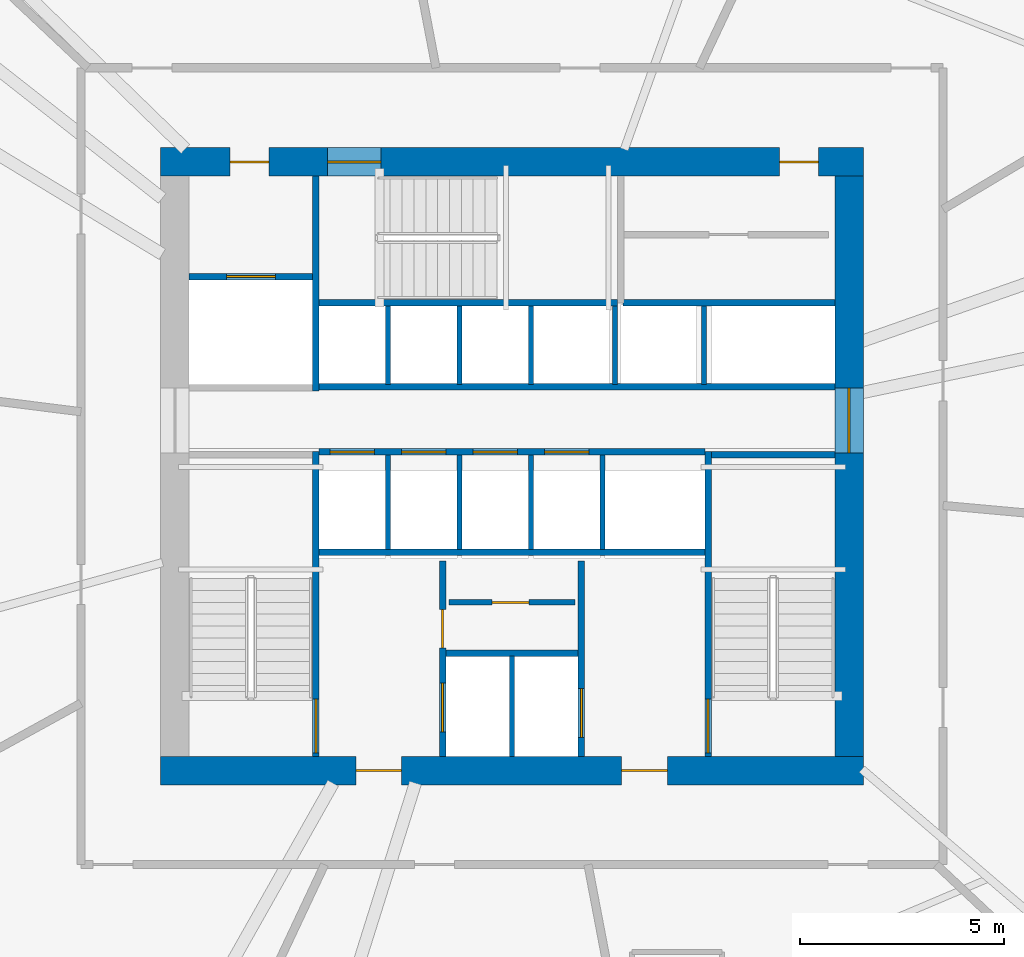
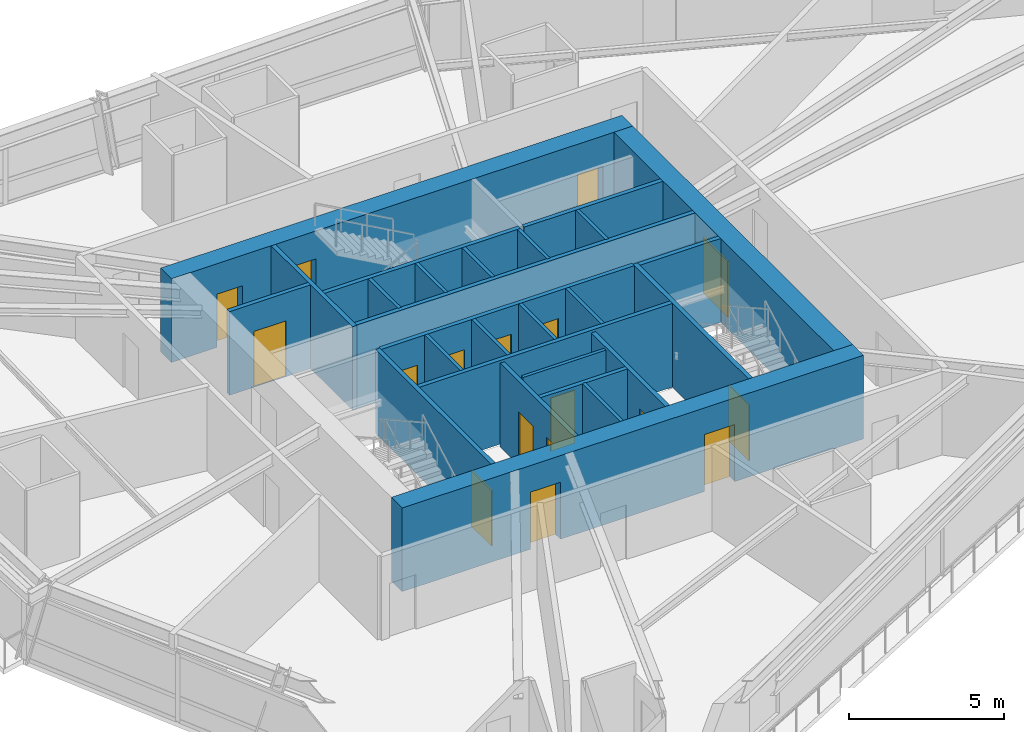
# One storey, part 16 of 22: 27 walls, 17 doors, 17 openings.
"""IFC4 building model written with IfcOpenShell, lengths in metres."""

from ifc_helpers import new_model, si_unit, direction, frame, frame_2d, origin, place, context, subcontext, project, spatial, rectangle, extrude, source, transform, mapped, material, layer, layer_set, type_object, type_shapes, element, fill, save


model = new_model("IFC4")

# Units and contexts
model_context = context("Model", 3, precision=1e-05, world=origin(), true_north=direction((0.0, 1.0)))
body_context = subcontext(model_context, "Body", "Model", "MODEL_VIEW")
ifc_project = project(units=[si_unit("LENGTHUNIT", "METRE"), si_unit("AREAUNIT", "SQUARE_METRE"), si_unit("VOLUMEUNIT", "CUBIC_METRE"), si_unit("PLANEANGLEUNIT", "RADIAN"), si_unit("MASSUNIT", "GRAM", prefix="KILO")], contexts=[model_context])

# Site, building, storey
site_placement = place(None, origin())
site = spatial("IfcSite", under=ifc_project, at=site_placement, CompositionType="ELEMENT")
building_placement = place(site_placement, origin())
building = spatial("IfcBuilding", under=site, at=building_placement, Name="Olszyna Solenne Hotel", CompositionType="ELEMENT")
storey_placement = place(building_placement, frame((0.0, 0.0, 95.050048828125)))
storey = spatial("IfcBuildingStorey", under=building, at=storey_placement, Name="L24", CompositionType="ELEMENT", Elevation=95.050048828125)

# Wall, openings, doors
ifc_material_1 = material(Name="Concrete C60/75", Category="concrete")
ifc_layer_1 = layer(ifc_material_1, 0.699951171875, Name="Concrete C60/75")
ifc_layer_set_1 = layer_set([ifc_layer_1], Name="Concrete C60/75")
wall_type_1 = type_object("IfcWallType", Name="WL-CR700", PredefinedType="SHEAR", material=ifc_layer_set_1)
wall_1_placement = place(storey_placement, frame((46.60009765625, 19.14990234375, 0.0), z_axis=(0.0, 0.0, 1.0), x_axis=(-1.0, 0.0, 0.0)))
wall_1 = element("IfcWall", 1, at=wall_1_placement, inside=storey, type_object=wall_type_1, Name="Core shear wall WL-CR700 CRW-L24-S", PredefinedType="SHEAR", context=body_context, shape_type="SweptSolid", body=[
    extrude(rectangle(XDim=17.2001953125, YDim=0.699951171875, at=frame_2d((8.60009765625, 0.0))), origin(), (0.0, 0.0, 1.0), 3.300048828125),
])
opening_1_placement = place(wall_1_placement, frame((4.800048828125, 0.0, 0.0)))
opening_1 = element("IfcOpeningElement", 2, at=opening_1_placement, cuts=wall_1, Name="Opening FL-L24-1", PredefinedType="OPENING", context=body_context, shape_type="SweptSolid", body=[
    extrude(rectangle(XDim=1.1201171875, YDim=2.25, at=frame_2d((0.56005859375, 1.125))), frame((0.0, 0.35986328125, 0.0), z_axis=(0.0, -1.0, 0.0), x_axis=(1.0, 0.0, 0.0)), (0.0, 0.0, 1.0), 0.719970703125),
])
opening_2_placement = place(wall_1_placement, frame((11.300048828125, 0.0, 0.0)))
opening_2 = element("IfcOpeningElement", 3, at=opening_2_placement, cuts=wall_1, Name="Opening FL-L24-2", PredefinedType="OPENING", context=body_context, shape_type="SweptSolid", body=[
    extrude(rectangle(XDim=1.1201171875, YDim=2.25, at=frame_2d((0.56005859375, 1.125))), frame((0.0, 0.35986328125, 0.0), z_axis=(0.0, -1.0, 0.0), x_axis=(1.0, 0.0, 0.0)), (0.0, 0.0, 1.0), 0.719970703125),
])
ifc_material_2 = material(Name="Steel S355J2", Category="steel")
door_type_1 = type_object("IfcDoorType", Name="DR-FL1", OperationType="NOTDEFINED", PredefinedType="DOOR", material=ifc_material_2)
shared_shape_1 = source(origin(), body_context, "Body", "SweptSolid", [
    extrude(rectangle(XDim=1.1201171875, YDim=2.25, at=frame_2d((0.56005859375, 1.125))), frame((0.0, 0.02490234375, 0.0), z_axis=(0.0, -1.0, 0.0), x_axis=(1.0, 0.0, 0.0)), (0.0, 0.0, 1.0), 0.050048828125),
])
type_shapes(door_type_1, [shared_shape_1])
door_1_placement = place(opening_1_placement, origin())
door_1 = element("IfcDoor", 4, at=door_1_placement, inside=storey, type_object=door_type_1, Name="Firefighting lift lobby smoke door FL-L24-1", OperationType="SINGLE_SWING_LEFT", OverallHeight=2.25, OverallWidth=1.1201171875, PredefinedType="DOOR", context=body_context, shape_type="MappedRepresentation", body=[
    mapped(shared_shape_1, transform((0.0, 0.0, 0.0), x_axis=(1.0, 0.0, 0.0), y_axis=(0.0, 1.0, 0.0), z_axis=(0.0, 0.0, 1.0), scale=1.0)),
])
fill(opening_1, door_1)
door_2_placement = place(opening_2_placement, origin())
door_2 = element("IfcDoor", 5, at=door_2_placement, inside=storey, type_object=door_type_1, Name="Firefighting lift lobby smoke door FL-L24-2", OperationType="SINGLE_SWING_RIGHT", OverallHeight=2.25, OverallWidth=1.1201171875, PredefinedType="DOOR", context=body_context, shape_type="MappedRepresentation", body=[
    mapped(shared_shape_1, transform((0.0, 0.0, 0.0), x_axis=(1.0, 0.0, 0.0), y_axis=(0.0, 1.0, 0.0), z_axis=(0.0, 0.0, 1.0), scale=1.0)),
])
fill(opening_2, door_2)

wall_2_placement = place(storey_placement, frame((29.39990234375, 34.050048828125, 0.0), z_axis=(0.0, 0.0, 1.0), x_axis=(1.0, 0.0, 0.0)))
wall_2 = element("IfcWall", 6, at=wall_2_placement, inside=storey, type_object=wall_type_1, Name="Core shear wall WL-CR700 CRW-L24-N", PredefinedType="SHEAR", context=body_context, shape_type="SweptSolid", body=[
    extrude(rectangle(XDim=17.2001953125, YDim=0.699951171875, at=frame_2d((8.60009765625, 0.0))), origin(), (0.0, 0.0, 1.0), 3.300048828125),
])
opening_3_placement = place(wall_2_placement, frame((1.699951171875, 0.0, 0.0)))
opening_3 = element("IfcOpeningElement", 7, at=opening_3_placement, cuts=wall_2, Name="Opening SVD-L24-01", PredefinedType="OPENING", context=body_context, shape_type="SweptSolid", body=[
    extrude(rectangle(XDim=0.949951171875, YDim=2.10009765625, at=frame_2d((0.47509765625, 1.050048828125))), frame((0.0, 0.35986328125, 0.0), z_axis=(0.0, -1.0, 0.0), x_axis=(1.0, 0.0, 0.0)), (0.0, 0.0, 1.0), 0.719970703125),
])
opening_4_placement = place(wall_2_placement, frame((4.080078125, 0.0, 0.0)))
opening_4 = element("IfcOpeningElement", 8, at=opening_4_placement, cuts=wall_2, Name="Opening STD-L24-03", PredefinedType="OPENING", context=body_context, shape_type="SweptSolid", body=[
    extrude(rectangle(XDim=1.320068359375, YDim=2.199951171875, at=frame_2d((0.66015625, 1.10009765625))), frame((0.0, 0.35986328125, 0.0), z_axis=(0.0, -1.0, 0.0), x_axis=(1.0, 0.0, 0.0)), (0.0, 0.0, 1.0), 0.719970703125),
])
opening_5_placement = place(wall_2_placement, frame((15.14990234375, 0.0, 0.0)))
opening_5 = element("IfcOpeningElement", 9, at=opening_5_placement, cuts=wall_2, Name="Opening SVD-L24-BN", PredefinedType="OPENING", context=body_context, shape_type="SweptSolid", body=[
    extrude(rectangle(XDim=0.949951171875, YDim=2.10009765625, at=frame_2d((0.47509765625, 1.050048828125))), frame((0.0, 0.35986328125, 0.0), z_axis=(0.0, -1.0, 0.0), x_axis=(1.0, 0.0, 0.0)), (0.0, 0.0, 1.0), 0.719970703125),
])
door_type_2 = type_object("IfcDoorType", Name="DR-ST1", OperationType="NOTDEFINED", PredefinedType="DOOR", material=ifc_material_2)
shared_shape_2 = source(origin(), body_context, "Body", "SweptSolid", [
    extrude(rectangle(XDim=1.320068359375, YDim=2.199951171875, at=frame_2d((0.66015625, 1.10009765625))), frame((0.0, 0.02490234375, 0.0), z_axis=(0.0, -1.0, 0.0), x_axis=(1.0, 0.0, 0.0)), (0.0, 0.0, 1.0), 0.050048828125),
])
type_shapes(door_type_2, [shared_shape_2])
door_3_placement = place(opening_4_placement, origin())
door_3 = element("IfcDoor", 10, at=door_3_placement, inside=storey, type_object=door_type_2, Name="Pressurised exit stair ST3 fire door STD-L24-03", OperationType="SINGLE_SWING_RIGHT", OverallHeight=2.199951171875, OverallWidth=1.320068359375, PredefinedType="DOOR", context=body_context, shape_type="MappedRepresentation", body=[
    mapped(shared_shape_2, transform((0.0, 0.0, 0.0), x_axis=(1.0, 0.0, 0.0), y_axis=(0.0, 1.0, 0.0), z_axis=(0.0, 0.0, 1.0), scale=1.0)),
])
fill(opening_4, door_3)
door_type_3 = type_object("IfcDoorType", Name="DR-SV1", OperationType="NOTDEFINED", PredefinedType="DOOR", material=ifc_material_2)
shared_shape_3 = source(origin(), body_context, "Body", "SweptSolid", [
    extrude(rectangle(XDim=0.949951171875, YDim=2.10009765625, at=frame_2d((0.47509765625, 1.050048828125))), frame((0.0, 0.02490234375, 0.0), z_axis=(0.0, -1.0, 0.0), x_axis=(1.0, 0.0, 0.0)), (0.0, 0.0, 1.0), 0.050048828125),
])
type_shapes(door_type_3, [shared_shape_3])
door_4_placement = place(opening_3_placement, origin())
door_4 = element("IfcDoor", 11, at=door_4_placement, inside=storey, type_object=door_type_3, Name="Service lift lobby fire door SVD-L24-01", OperationType="SINGLE_SWING_LEFT", OverallHeight=2.10009765625, OverallWidth=0.949951171875, PredefinedType="DOOR", context=body_context, shape_type="MappedRepresentation", body=[
    mapped(shared_shape_3, transform((0.0, 0.0, 0.0), x_axis=(1.0, 0.0, 0.0), y_axis=(0.0, 1.0, 0.0), z_axis=(0.0, 0.0, 1.0), scale=1.0)),
])
fill(opening_3, door_4)
door_5_placement = place(opening_5_placement, origin())
door_5 = element("IfcDoor", 12, at=door_5_placement, inside=storey, type_object=door_type_3, Name="Housekeeping core fire door SVD-L24-BN", OperationType="SINGLE_SWING_LEFT", OverallHeight=2.10009765625, OverallWidth=0.949951171875, PredefinedType="DOOR", context=body_context, shape_type="MappedRepresentation", body=[
    mapped(shared_shape_3, transform((0.0, 0.0, 0.0), x_axis=(1.0, 0.0, 0.0), y_axis=(0.0, 1.0, 0.0), z_axis=(0.0, 0.0, 1.0), scale=1.0)),
])
fill(opening_5, door_5)

# Wall, opening, door
wall_3_placement = place(storey_placement, frame((46.25, 33.699951171875, 0.0), z_axis=(0.0, 0.0, 1.0), x_axis=(0.0, -1.0, 0.0)))
wall_3 = element("IfcWall", 13, at=wall_3_placement, inside=storey, type_object=wall_type_1, Name="Core shear wall WL-CR700 CRW-L24-E", PredefinedType="SHEAR", context=body_context, shape_type="SweptSolid", body=[
    extrude(rectangle(XDim=14.199951171875, YDim=0.699951171875, at=frame_2d((7.10009765625, 0.0))), origin(), (0.0, 0.0, 1.0), 3.300048828125),
])
opening_6_placement = place(wall_3_placement, frame((5.179931640625, 0.0, 0.0)))
opening_6 = element("IfcOpeningElement", 14, at=opening_6_placement, cuts=wall_3, Name="Opening LHD-L24-E", PredefinedType="OPENING", context=body_context, shape_type="SweptSolid", body=[
    extrude(rectangle(XDim=1.60009765625, YDim=2.199951171875, at=frame_2d((0.800048828125, 1.10009765625))), frame((0.0, 0.35986328125, 0.0), z_axis=(0.0, -1.0, 0.0), x_axis=(1.0, 0.0, 0.0)), (0.0, 0.0, 1.0), 0.719970703125),
])
ifc_material_3 = material(Name="Timber hardwood", Category="wood")
door_type_4 = type_object("IfcDoorType", Name="DR-CR1", OperationType="DOUBLE_DOOR_SINGLE_SWING", PredefinedType="DOOR", material=ifc_material_3)
shared_shape_4 = source(origin(), body_context, "Body", "SweptSolid", [
    extrude(rectangle(XDim=1.60009765625, YDim=2.199951171875, at=frame_2d((0.800048828125, 1.10009765625))), frame((0.0, 0.02490234375, 0.0), z_axis=(0.0, -1.0, 0.0), x_axis=(1.0, 0.0, 0.0)), (0.0, 0.0, 1.0), 0.050048828125),
])
type_shapes(door_type_4, [shared_shape_4])
door_6_placement = place(opening_6_placement, origin())
door_6 = element("IfcDoor", 15, at=door_6_placement, inside=storey, type_object=door_type_4, Name="Passenger lift lobby East fire door LHD-L24-E", OperationType="DOUBLE_DOOR_SINGLE_SWING", OverallHeight=2.199951171875, OverallWidth=1.60009765625, PredefinedType="DOOR", context=body_context, shape_type="MappedRepresentation", body=[
    mapped(shared_shape_4, transform((0.0, 0.0, 0.0), x_axis=(1.0, 0.0, 0.0), y_axis=(0.0, 1.0, 0.0), z_axis=(0.0, 0.0, 1.0), scale=1.0)),
])
fill(opening_6, door_6)

# Wall
ifc_material_4 = material(Name="Acoustic gypsum partition", Category="gypsum")
ifc_layer_2 = layer(ifc_material_4, 0.125, Name="Acoustic gypsum partition")
ifc_layer_set_2 = layer_set([ifc_layer_2], Name="Acoustic gypsum partition")
wall_type_2 = type_object("IfcWallType", Name="WL-PT125", PredefinedType="PARTITIONING", material=ifc_layer_set_2)
wall_4_placement = place(storey_placement, frame((38.0, 19.5, 0.0), z_axis=(0.0, 0.0, 1.0), x_axis=(0.0, 1.0, 0.0)))
element("IfcWall", 16, at=wall_4_placement, inside=storey, type_object=wall_type_2, Name="Core shaft compartment wall CW-L24-FFM", PredefinedType="PARTITIONING", context=body_context, shape_type="SweptSolid", body=[
    extrude(rectangle(XDim=2.4599609375, YDim=0.125, at=frame_2d((1.22998046875, 0.0))), origin(), (0.0, 0.0, 1.0), 3.300048828125),
])

# Wall, opening, door
wall_5_placement = place(storey_placement, frame((36.4599609375, 23.27001953125, 0.0), z_axis=(0.0, 0.0, 1.0), x_axis=(1.0, 0.0, 0.0)))
wall_5 = element("IfcWall", 17, at=wall_5_placement, inside=storey, type_object=wall_type_2, Name="Core shaft compartment wall CW-L24-SC2", PredefinedType="PARTITIONING", context=body_context, shape_type="SweptSolid", body=[
    extrude(rectangle(XDim=3.080078125, YDim=0.125, at=frame_2d((1.5400390625, 0.0))), origin(), (0.0, 0.0, 1.0), 3.300048828125),
])
opening_7_placement = place(wall_5_placement, frame((1.050048828125, 0.0, 0.0)))
opening_7 = element("IfcOpeningElement", 18, at=opening_7_placement, cuts=wall_5, Name="Opening SVD-L24-SC2", PredefinedType="OPENING", context=body_context, shape_type="SweptSolid", body=[
    extrude(rectangle(XDim=0.89990234375, YDim=2.10009765625, at=frame_2d((0.449951171875, 1.050048828125))), frame((0.0, 0.072509765625, 0.0), z_axis=(0.0, -1.0, 0.0), x_axis=(1.0, 0.0, 0.0)), (0.0, 0.0, 1.0), 0.14501953125),
])
door_type_5 = type_object("IfcDoorType", Name="DR-WC1", OperationType="NOTDEFINED", PredefinedType="DOOR", material=ifc_material_3)
shared_shape_5 = source(origin(), body_context, "Body", "SweptSolid", [
    extrude(rectangle(XDim=0.89990234375, YDim=2.10009765625, at=frame_2d((0.449951171875, 1.050048828125))), frame((0.0, 0.02490234375, 0.0), z_axis=(0.0, -1.0, 0.0), x_axis=(1.0, 0.0, 0.0)), (0.0, 0.0, 1.0), 0.050048828125),
])
type_shapes(door_type_5, [shared_shape_5])
door_7_placement = place(opening_7_placement, origin())
door_7 = element("IfcDoor", 19, at=door_7_placement, inside=storey, type_object=door_type_5, Name="Butler pantry door SVD-L24-SC2", OperationType="SINGLE_SWING_RIGHT", OverallHeight=2.10009765625, OverallWidth=0.89990234375, PredefinedType="DOOR", context=body_context, shape_type="MappedRepresentation", body=[
    mapped(shared_shape_5, transform((0.0, 0.0, 0.0), x_axis=(1.0, 0.0, 0.0), y_axis=(0.0, 1.0, 0.0), z_axis=(0.0, 0.0, 1.0), scale=1.0)),
])
fill(opening_7, door_7)

# Walls
for number, where, z_axis, x_axis, name in (
    (20, (34.965087890625, 24.56005859375, 0.0), (0.0, 0.0, 1.0), (0.0, 1.0, 0.0), "Core shaft compartment wall CW-L24-DIVS349"),
    (21, (36.715087890625, 24.56005859375, 0.0), (0.0, 0.0, 1.0), (0.0, 1.0, 0.0), "Core shaft compartment wall CW-L24-DIVS367"),
    (22, (38.465087890625, 24.56005859375, 0.0), (0.0, 0.0, 1.0), (0.0, 1.0, 0.0), "Core shaft compartment wall CW-L24-DIVS384"),
    (23, (40.215087890625, 24.56005859375, 0.0), (0.0, 0.0, 1.0), (0.0, 1.0, 0.0), "Core shaft compartment wall CW-L24-DIVS402"),
):
    element("IfcWall", number, at=place(storey_placement, frame(where, z_axis=z_axis, x_axis=x_axis)), inside=storey, type_object=wall_type_2, Name=name, PredefinedType="PARTITIONING", context=body_context, shape_type="SweptSolid", body=[
        extrude(rectangle(XDim=2.31005859375, YDim=0.125, at=frame_2d((1.155029296875, 0.0))), origin(), (0.0, 0.0, 1.0), 3.300048828125),
    ])
for number, where, z_axis, x_axis, name in (
    (24, (34.965087890625, 28.60009765625, 0.0), (0.0, 0.0, 1.0), (0.0, 1.0, 0.0), "Core shaft compartment wall CW-L24-DIVN349"),
    (25, (36.715087890625, 28.60009765625, 0.0), (0.0, 0.0, 1.0), (0.0, 1.0, 0.0), "Core shaft compartment wall CW-L24-DIVN367"),
    (26, (38.465087890625, 28.60009765625, 0.0), (0.0, 0.0, 1.0), (0.0, 1.0, 0.0), "Core shaft compartment wall CW-L24-DIVN384"),
    (27, (40.52490234375, 28.60009765625, 0.0), (0.0, 0.0, 1.0), (0.0, 1.0, 0.0), "Core shaft compartment wall CW-L24-DIVEX405"),
    (28, (42.699951171875, 28.60009765625, 0.0), (0.0, 0.0, 1.0), (0.0, 1.0, 0.0), "Core shaft compartment wall CW-L24-DIVEX427"),
):
    element("IfcWall", number, at=place(storey_placement, frame(where, z_axis=z_axis, x_axis=x_axis)), inside=storey, type_object=wall_type_2, Name=name, PredefinedType="PARTITIONING", context=body_context, shape_type="SweptSolid", body=[
        extrude(rectangle(XDim=1.919921875, YDim=0.125, at=frame_2d((0.9599609375, 0.0))), origin(), (0.0, 0.0, 1.0), 3.300048828125),
    ])

# Wall, opening, door
ifc_layer_3 = layer(ifc_material_4, 0.159912109375, Name="Acoustic gypsum partition")
ifc_layer_set_3 = layer_set([ifc_layer_3], Name="Acoustic gypsum partition")
wall_type_3 = type_object("IfcWallType", Name="WL-PT160", PredefinedType="PARTITIONING", material=ifc_layer_set_3)
wall_6_placement = place(storey_placement, frame((33.199951171875, 19.5, 0.0), z_axis=(0.0, 0.0, 1.0), x_axis=(0.0, 1.0, 0.0)))
wall_6 = element("IfcWall", 29, at=wall_6_placement, inside=storey, type_object=wall_type_3, Name="Core shaft compartment wall CW-L24-ST1E", PredefinedType="PARTITIONING", context=body_context, shape_type="SweptSolid", body=[
    extrude(rectangle(XDim=7.4599609375, YDim=0.159912109375, at=frame_2d((3.72998046875, 0.0))), origin(), (0.0, 0.0, 1.0), 3.300048828125),
])
opening_8_placement = place(wall_6_placement, frame((0.080078125, 0.0, 0.0)))
opening_8 = element("IfcOpeningElement", 30, at=opening_8_placement, cuts=wall_6, Name="Opening STD-L24-01", PredefinedType="OPENING", context=body_context, shape_type="SweptSolid", body=[
    extrude(rectangle(XDim=1.320068359375, YDim=2.199951171875, at=frame_2d((0.66015625, 1.10009765625))), frame((0.0, 0.08984375, 0.0), z_axis=(0.0, -1.0, 0.0), x_axis=(1.0, 0.0, 0.0)), (0.0, 0.0, 1.0), 0.179931640625),
])
door_8_placement = place(opening_8_placement, origin())
door_8 = element("IfcDoor", 31, at=door_8_placement, inside=storey, type_object=door_type_2, Name="Pressurised exit stair ST1 fire door STD-L24-01", OperationType="SINGLE_SWING_LEFT", OverallHeight=2.199951171875, OverallWidth=1.320068359375, PredefinedType="DOOR", context=body_context, shape_type="MappedRepresentation", body=[
    mapped(shared_shape_2, transform((0.0, 0.0, 0.0), x_axis=(1.0, 0.0, 0.0), y_axis=(0.0, 1.0, 0.0), z_axis=(0.0, 0.0, 1.0), scale=1.0)),
])
fill(opening_8, door_8)

wall_7_placement = place(storey_placement, frame((42.800048828125, 26.9599609375, 0.0), z_axis=(0.0, 0.0, 1.0), x_axis=(0.0, -1.0, 0.0)))
wall_7 = element("IfcWall", 32, at=wall_7_placement, inside=storey, type_object=wall_type_3, Name="Core shaft compartment wall CW-L24-ST2W", PredefinedType="PARTITIONING", context=body_context, shape_type="SweptSolid", body=[
    extrude(rectangle(XDim=7.4599609375, YDim=0.159912109375, at=frame_2d((3.72998046875, 0.0))), origin(), (0.0, 0.0, 1.0), 3.300048828125),
])
opening_9_placement = place(wall_7_placement, frame((6.06005859375, 0.0, 0.0)))
opening_9 = element("IfcOpeningElement", 33, at=opening_9_placement, cuts=wall_7, Name="Opening STD-L24-02", PredefinedType="OPENING", context=body_context, shape_type="SweptSolid", body=[
    extrude(rectangle(XDim=1.320068359375, YDim=2.199951171875, at=frame_2d((0.66015625, 1.10009765625))), frame((0.0, 0.08984375, 0.0), z_axis=(0.0, -1.0, 0.0), x_axis=(1.0, 0.0, 0.0)), (0.0, 0.0, 1.0), 0.179931640625),
])
door_9_placement = place(opening_9_placement, origin())
door_9 = element("IfcDoor", 34, at=door_9_placement, inside=storey, type_object=door_type_2, Name="Pressurised exit stair ST2 fire door STD-L24-02", OperationType="SINGLE_SWING_RIGHT", OverallHeight=2.199951171875, OverallWidth=1.320068359375, PredefinedType="DOOR", context=body_context, shape_type="MappedRepresentation", body=[
    mapped(shared_shape_2, transform((0.0, 0.0, 0.0), x_axis=(1.0, 0.0, 0.0), y_axis=(0.0, 1.0, 0.0), z_axis=(0.0, 0.0, 1.0), scale=1.0)),
])
fill(opening_9, door_9)

# Walls
wall_8_placement = place(storey_placement, frame((42.8798828125, 26.8798828125, 0.0), z_axis=(0.0, 0.0, 1.0), x_axis=(1.0, 0.0, 0.0)))
element("IfcWall", 35, at=wall_8_placement, inside=storey, type_object=wall_type_3, Name="Core shaft compartment wall CW-L24-ST2N", PredefinedType="PARTITIONING", context=body_context, shape_type="SweptSolid", body=[
    extrude(rectangle(XDim=3.02001953125, YDim=0.159912109375, at=frame_2d((1.510009765625, 0.0))), origin(), (0.0, 0.0, 1.0), 3.300048828125),
])
wall_9_placement = place(storey_placement, frame((33.280029296875, 30.60009765625, 0.0), z_axis=(0.0, 0.0, 1.0), x_axis=(1.0, 0.0, 0.0)))
element("IfcWall", 36, at=wall_9_placement, inside=storey, type_object=wall_type_3, Name="Core shaft compartment wall CW-L24-ST3S", PredefinedType="PARTITIONING", context=body_context, shape_type="SweptSolid", body=[
    extrude(rectangle(XDim=7.300048828125, YDim=0.159912109375, at=frame_2d((3.64990234375, 0.0))), origin(), (0.0, 0.0, 1.0), 3.300048828125),
])

# Wall, openings, doors
wall_10_placement = place(storey_placement, frame((36.300048828125, 19.5, 0.0), z_axis=(0.0, 0.0, 1.0), x_axis=(0.0, 1.0, 0.0)))
wall_10 = element("IfcWall", 37, at=wall_10_placement, inside=storey, type_object=wall_type_3, Name="Core shaft compartment wall CW-L24-FF1W", PredefinedType="PARTITIONING", context=body_context, shape_type="SweptSolid", body=[
    extrude(rectangle(XDim=4.780029296875, YDim=0.159912109375, at=frame_2d((2.39013671875, 0.0))), origin(), (0.0, 0.0, 1.0), 3.300048828125),
])
opening_10_placement = place(wall_10_placement, frame((0.60009765625, 0.0, 0.0)))
opening_10 = element("IfcOpeningElement", 38, at=opening_10_placement, cuts=wall_10, Name="Opening LD-L24-FF1", PredefinedType="OPENING", context=body_context, shape_type="SweptSolid", body=[
    extrude(rectangle(XDim=1.199951171875, YDim=2.199951171875, at=frame_2d((0.60009765625, 1.10009765625))), frame((0.0, 0.08984375, 0.0), z_axis=(0.0, -1.0, 0.0), x_axis=(1.0, 0.0, 0.0)), (0.0, 0.0, 1.0), 0.179931640625),
])
opening_11_placement = place(wall_10_placement, frame((2.64990234375, 0.0, 0.0)))
opening_11 = element("IfcOpeningElement", 39, at=opening_11_placement, cuts=wall_10, Name="Opening SVD-L24-SMK", PredefinedType="OPENING", context=body_context, shape_type="SweptSolid", body=[
    extrude(rectangle(XDim=0.949951171875, YDim=2.10009765625, at=frame_2d((0.47509765625, 1.050048828125))), frame((0.0, 0.08984375, 0.0), z_axis=(0.0, -1.0, 0.0), x_axis=(1.0, 0.0, 0.0)), (0.0, 0.0, 1.0), 0.179931640625),
])
door_10_placement = place(opening_11_placement, origin())
door_10 = element("IfcDoor", 40, at=door_10_placement, inside=storey, type_object=door_type_3, Name="Valet and core service room door SVD-L24-SMK", OperationType="SINGLE_SWING_LEFT", OverallHeight=2.10009765625, OverallWidth=0.949951171875, PredefinedType="DOOR", context=body_context, shape_type="MappedRepresentation", body=[
    mapped(shared_shape_3, transform((0.0, 0.0, 0.0), x_axis=(1.0, 0.0, 0.0), y_axis=(0.0, 1.0, 0.0), z_axis=(0.0, 0.0, 1.0), scale=1.0)),
])
fill(opening_11, door_10)
door_type_6 = type_object("IfcDoorType", Name="LD-FF1", OperationType="DOUBLE_DOOR_SLIDING", PredefinedType="DOOR", material=ifc_material_2)
shared_shape_6 = source(origin(), body_context, "Body", "SweptSolid", [
    extrude(rectangle(XDim=1.199951171875, YDim=2.199951171875, at=frame_2d((0.60009765625, 1.10009765625))), frame((0.0, 0.02490234375, 0.0), z_axis=(0.0, -1.0, 0.0), x_axis=(1.0, 0.0, 0.0)), (0.0, 0.0, 1.0), 0.050048828125),
])
type_shapes(door_type_6, [shared_shape_6])
door_11_placement = place(opening_10_placement, origin())
door_11 = element("IfcDoor", 41, at=door_11_placement, inside=storey, type_object=door_type_6, Name="Firefighters lift FF1 sliding landing door LD-L24-FF1", OperationType="DOUBLE_DOOR_SLIDING", OverallHeight=2.199951171875, OverallWidth=1.199951171875, PredefinedType="DOOR", context=body_context, shape_type="MappedRepresentation", body=[
    mapped(shared_shape_6, transform((0.0, 0.0, 0.0), x_axis=(1.0, 0.0, 0.0), y_axis=(0.0, 1.0, 0.0), z_axis=(0.0, 0.0, 1.0), scale=1.0)),
])
fill(opening_10, door_11)

# Wall, opening, door
wall_11_placement = place(storey_placement, frame((39.699951171875, 24.280029296875, 0.0), z_axis=(0.0, 0.0, 1.0), x_axis=(0.0, -1.0, 0.0)))
wall_11 = element("IfcWall", 42, at=wall_11_placement, inside=storey, type_object=wall_type_3, Name="Core shaft compartment wall CW-L24-FF2E", PredefinedType="PARTITIONING", context=body_context, shape_type="SweptSolid", body=[
    extrude(rectangle(XDim=4.780029296875, YDim=0.159912109375, at=frame_2d((2.39013671875, 0.0))), origin(), (0.0, 0.0, 1.0), 3.300048828125),
])
opening_12_placement = place(wall_11_placement, frame((3.1201171875, 0.0, 0.0)))
opening_12 = element("IfcOpeningElement", 43, at=opening_12_placement, cuts=wall_11, Name="Opening LD-L24-FF2", PredefinedType="OPENING", context=body_context, shape_type="SweptSolid", body=[
    extrude(rectangle(XDim=1.199951171875, YDim=2.199951171875, at=frame_2d((0.60009765625, 1.10009765625))), frame((0.0, 0.08984375, 0.0), z_axis=(0.0, -1.0, 0.0), x_axis=(1.0, 0.0, 0.0)), (0.0, 0.0, 1.0), 0.179931640625),
])
door_12_placement = place(opening_12_placement, origin())
door_12 = element("IfcDoor", 44, at=door_12_placement, inside=storey, type_object=door_type_6, Name="Firefighters lift FF2 sliding landing door LD-L24-FF2", OperationType="DOUBLE_DOOR_SLIDING", OverallHeight=2.199951171875, OverallWidth=1.199951171875, PredefinedType="DOOR", context=body_context, shape_type="MappedRepresentation", body=[
    mapped(shared_shape_6, transform((0.0, 0.0, 0.0), x_axis=(1.0, 0.0, 0.0), y_axis=(0.0, 1.0, 0.0), z_axis=(0.0, 0.0, 1.0), scale=1.0)),
])
fill(opening_12, door_12)

# Walls
wall_12_placement = place(storey_placement, frame((36.3798828125, 22.02001953125, 0.0), z_axis=(0.0, 0.0, 1.0), x_axis=(1.0, 0.0, 0.0)))
element("IfcWall", 45, at=wall_12_placement, inside=storey, type_object=wall_type_3, Name="Core shaft compartment wall CW-L24-FFN", PredefinedType="PARTITIONING", context=body_context, shape_type="SweptSolid", body=[
    extrude(rectangle(XDim=3.240234375, YDim=0.159912109375, at=frame_2d((1.6201171875, 0.0))), origin(), (0.0, 0.0, 1.0), 3.300048828125),
])
wall_13_placement = place(storey_placement, frame((33.280029296875, 24.489990234375, 0.0), z_axis=(0.0, 0.0, 1.0), x_axis=(1.0, 0.0, 0.0)))
element("IfcWall", 46, at=wall_13_placement, inside=storey, type_object=wall_type_3, Name="Core shaft compartment wall CW-L24-FFBN", PredefinedType="PARTITIONING", context=body_context, shape_type="SweptSolid", body=[
    extrude(rectangle(XDim=9.43994140625, YDim=0.159912109375, at=frame_2d((4.719970703125, 0.0))), origin(), (0.0, 0.0, 1.0), 3.300048828125),
])
wall_14_placement = place(storey_placement, frame((33.199951171875, 28.43994140625, 0.0), z_axis=(0.0, 0.0, 1.0), x_axis=(0.0, 1.0, 0.0)))
element("IfcWall", 47, at=wall_14_placement, inside=storey, type_object=wall_type_3, Name="Core shaft compartment wall CW-L24-SV1E", PredefinedType="PARTITIONING", context=body_context, shape_type="SweptSolid", body=[
    extrude(rectangle(XDim=5.260009765625, YDim=0.159912109375, at=frame_2d((2.6298828125, 0.0))), origin(), (0.0, 0.0, 1.0), 3.300048828125),
])

# Wall, opening, door
wall_15_placement = place(storey_placement, frame((30.10009765625, 31.239990234375, 0.0), z_axis=(0.0, 0.0, 1.0), x_axis=(1.0, 0.0, 0.0)))
wall_15 = element("IfcWall", 48, at=wall_15_placement, inside=storey, type_object=wall_type_3, Name="Core shaft compartment wall CW-L24-SV1N", PredefinedType="PARTITIONING", context=body_context, shape_type="SweptSolid", body=[
    extrude(rectangle(XDim=3.02001953125, YDim=0.159912109375, at=frame_2d((1.510009765625, 0.0))), origin(), (0.0, 0.0, 1.0), 3.300048828125),
])
opening_13_placement = place(wall_15_placement, frame((0.909912109375, 0.0, 0.0)))
opening_13 = element("IfcOpeningElement", 49, at=opening_13_placement, cuts=wall_15, Name="Opening LD-L24-SV1", PredefinedType="OPENING", context=body_context, shape_type="SweptSolid", body=[
    extrude(rectangle(XDim=1.199951171875, YDim=2.199951171875, at=frame_2d((0.60009765625, 1.10009765625))), frame((0.0, 0.08984375, 0.0), z_axis=(0.0, -1.0, 0.0), x_axis=(1.0, 0.0, 0.0)), (0.0, 0.0, 1.0), 0.179931640625),
])
door_13_placement = place(opening_13_placement, origin())
door_13 = element("IfcDoor", 50, at=door_13_placement, inside=storey, type_object=door_type_6, Name="Service lift SV1 sliding landing door LD-L24-SV1", OperationType="DOUBLE_DOOR_SLIDING", OverallHeight=2.199951171875, OverallWidth=1.199951171875, PredefinedType="DOOR", context=body_context, shape_type="MappedRepresentation", body=[
    mapped(shared_shape_6, transform((0.0, 0.0, 0.0), x_axis=(1.0, 0.0, 0.0), y_axis=(0.0, 1.0, 0.0), z_axis=(0.0, 0.0, 1.0), scale=1.0)),
])
fill(opening_13, door_13)

# Wall, openings, doors
wall_16_placement = place(storey_placement, frame((33.280029296875, 26.949951171875, 0.0), z_axis=(0.0, 0.0, 1.0), x_axis=(1.0, 0.0, 0.0)))
wall_16 = element("IfcWall", 51, at=wall_16_placement, inside=storey, type_object=wall_type_3, Name="Core shaft compartment wall CW-L24-LRS", PredefinedType="PARTITIONING", context=body_context, shape_type="SweptSolid", body=[
    extrude(rectangle(XDim=9.43994140625, YDim=0.159912109375, at=frame_2d((4.719970703125, 0.0))), origin(), (0.0, 0.0, 1.0), 3.300048828125),
])
opening_14_placement = place(wall_16_placement, frame((0.260009765625, 0.0, 0.0)))
opening_14 = element("IfcOpeningElement", 52, at=opening_14_placement, cuts=wall_16, Name="Opening LD-L24-PL1", PredefinedType="OPENING", context=body_context, shape_type="SweptSolid", body=[
    extrude(rectangle(XDim=1.10009765625, YDim=2.199951171875, at=frame_2d((0.550048828125, 1.10009765625))), frame((0.0, 0.08984375, 0.0), z_axis=(0.0, -1.0, 0.0), x_axis=(1.0, 0.0, 0.0)), (0.0, 0.0, 1.0), 0.179931640625),
])
opening_15_placement = place(wall_16_placement, frame((2.010009765625, 0.0, 0.0)))
opening_15 = element("IfcOpeningElement", 53, at=opening_15_placement, cuts=wall_16, Name="Opening LD-L24-PL2", PredefinedType="OPENING", context=body_context, shape_type="SweptSolid", body=[
    extrude(rectangle(XDim=1.10009765625, YDim=2.199951171875, at=frame_2d((0.550048828125, 1.10009765625))), frame((0.0, 0.08984375, 0.0), z_axis=(0.0, -1.0, 0.0), x_axis=(1.0, 0.0, 0.0)), (0.0, 0.0, 1.0), 0.179931640625),
])
opening_16_placement = place(wall_16_placement, frame((3.760009765625, 0.0, 0.0)))
opening_16 = element("IfcOpeningElement", 54, at=opening_16_placement, cuts=wall_16, Name="Opening LD-L24-PL3", PredefinedType="OPENING", context=body_context, shape_type="SweptSolid", body=[
    extrude(rectangle(XDim=1.10009765625, YDim=2.199951171875, at=frame_2d((0.550048828125, 1.10009765625))), frame((0.0, 0.08984375, 0.0), z_axis=(0.0, -1.0, 0.0), x_axis=(1.0, 0.0, 0.0)), (0.0, 0.0, 1.0), 0.179931640625),
])
opening_17_placement = place(wall_16_placement, frame((5.510009765625, 0.0, 0.0)))
opening_17 = element("IfcOpeningElement", 55, at=opening_17_placement, cuts=wall_16, Name="Opening LD-L24-PL4", PredefinedType="OPENING", context=body_context, shape_type="SweptSolid", body=[
    extrude(rectangle(XDim=1.10009765625, YDim=2.199951171875, at=frame_2d((0.550048828125, 1.10009765625))), frame((0.0, 0.08984375, 0.0), z_axis=(0.0, -1.0, 0.0), x_axis=(1.0, 0.0, 0.0)), (0.0, 0.0, 1.0), 0.179931640625),
])
door_type_7 = type_object("IfcDoorType", Name="LD-P1", OperationType="DOUBLE_DOOR_SLIDING", PredefinedType="DOOR", material=ifc_material_2)
shared_shape_7 = source(origin(), body_context, "Body", "SweptSolid", [
    extrude(rectangle(XDim=1.10009765625, YDim=2.199951171875, at=frame_2d((0.550048828125, 1.10009765625))), frame((0.0, 0.02490234375, 0.0), z_axis=(0.0, -1.0, 0.0), x_axis=(1.0, 0.0, 0.0)), (0.0, 0.0, 1.0), 0.050048828125),
])
type_shapes(door_type_7, [shared_shape_7])
door_14_placement = place(opening_14_placement, origin())
door_14 = element("IfcDoor", 56, at=door_14_placement, inside=storey, type_object=door_type_7, Name="Passenger lift PL1 sliding landing door LD-L24-PL1", OperationType="DOUBLE_DOOR_SLIDING", OverallHeight=2.199951171875, OverallWidth=1.10009765625, PredefinedType="DOOR", context=body_context, shape_type="MappedRepresentation", body=[
    mapped(shared_shape_7, transform((0.0, 0.0, 0.0), x_axis=(1.0, 0.0, 0.0), y_axis=(0.0, 1.0, 0.0), z_axis=(0.0, 0.0, 1.0), scale=1.0)),
])
fill(opening_14, door_14)
door_15_placement = place(opening_15_placement, origin())
door_15 = element("IfcDoor", 57, at=door_15_placement, inside=storey, type_object=door_type_7, Name="Passenger lift PL2 sliding landing door LD-L24-PL2", OperationType="DOUBLE_DOOR_SLIDING", OverallHeight=2.199951171875, OverallWidth=1.10009765625, PredefinedType="DOOR", context=body_context, shape_type="MappedRepresentation", body=[
    mapped(shared_shape_7, transform((0.0, 0.0, 0.0), x_axis=(1.0, 0.0, 0.0), y_axis=(0.0, 1.0, 0.0), z_axis=(0.0, 0.0, 1.0), scale=1.0)),
])
fill(opening_15, door_15)
door_16_placement = place(opening_16_placement, origin())
door_16 = element("IfcDoor", 58, at=door_16_placement, inside=storey, type_object=door_type_7, Name="Passenger lift PL3 sliding landing door LD-L24-PL3", OperationType="DOUBLE_DOOR_SLIDING", OverallHeight=2.199951171875, OverallWidth=1.10009765625, PredefinedType="DOOR", context=body_context, shape_type="MappedRepresentation", body=[
    mapped(shared_shape_7, transform((0.0, 0.0, 0.0), x_axis=(1.0, 0.0, 0.0), y_axis=(0.0, 1.0, 0.0), z_axis=(0.0, 0.0, 1.0), scale=1.0)),
])
fill(opening_16, door_16)
door_17_placement = place(opening_17_placement, origin())
door_17 = element("IfcDoor", 59, at=door_17_placement, inside=storey, type_object=door_type_7, Name="Passenger lift PL4 sliding landing door LD-L24-PL4", OperationType="DOUBLE_DOOR_SLIDING", OverallHeight=2.199951171875, OverallWidth=1.10009765625, PredefinedType="DOOR", context=body_context, shape_type="MappedRepresentation", body=[
    mapped(shared_shape_7, transform((0.0, 0.0, 0.0), x_axis=(1.0, 0.0, 0.0), y_axis=(0.0, 1.0, 0.0), z_axis=(0.0, 0.0, 1.0), scale=1.0)),
])
fill(opening_17, door_17)

# Walls
wall_17_placement = place(storey_placement, frame((33.280029296875, 28.5400390625, 0.0), z_axis=(0.0, 0.0, 1.0), x_axis=(1.0, 0.0, 0.0)))
element("IfcWall", 60, at=wall_17_placement, inside=storey, type_object=wall_type_3, Name="Core shaft compartment wall CW-L24-LRN", PredefinedType="PARTITIONING", context=body_context, shape_type="SweptSolid", body=[
    extrude(rectangle(XDim=12.619873046875, YDim=0.159912109375, at=frame_2d((6.31005859375, 0.0))), origin(), (0.0, 0.0, 1.0), 3.300048828125),
])
wall_18_placement = place(storey_placement, frame((40.719970703125, 30.60009765625, 0.0), z_axis=(0.0, 0.0, 1.0), x_axis=(1.0, 0.0, 0.0)))
element("IfcWall", 61, at=wall_18_placement, inside=storey, type_object=wall_type_3, Name="Core shaft compartment wall CW-L24-LRNTOP", PredefinedType="PARTITIONING", context=body_context, shape_type="SweptSolid", body=[
    extrude(rectangle(XDim=5.179931640625, YDim=0.159912109375, at=frame_2d((2.58984375, 0.0))), origin(), (0.0, 0.0, 1.0), 3.300048828125),
])

save(model, "model.ifc")
